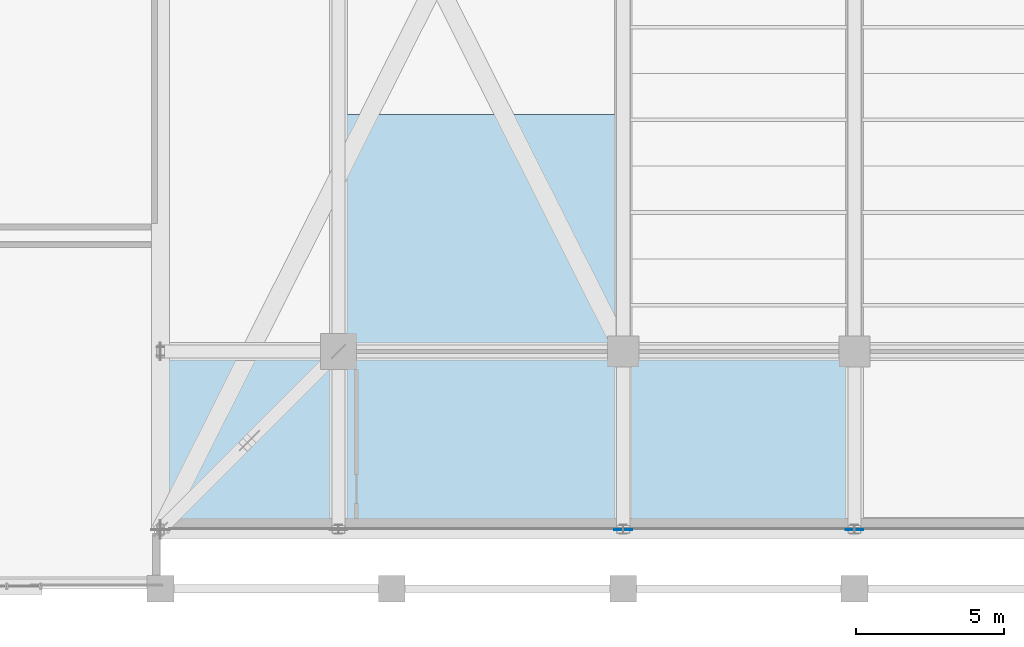
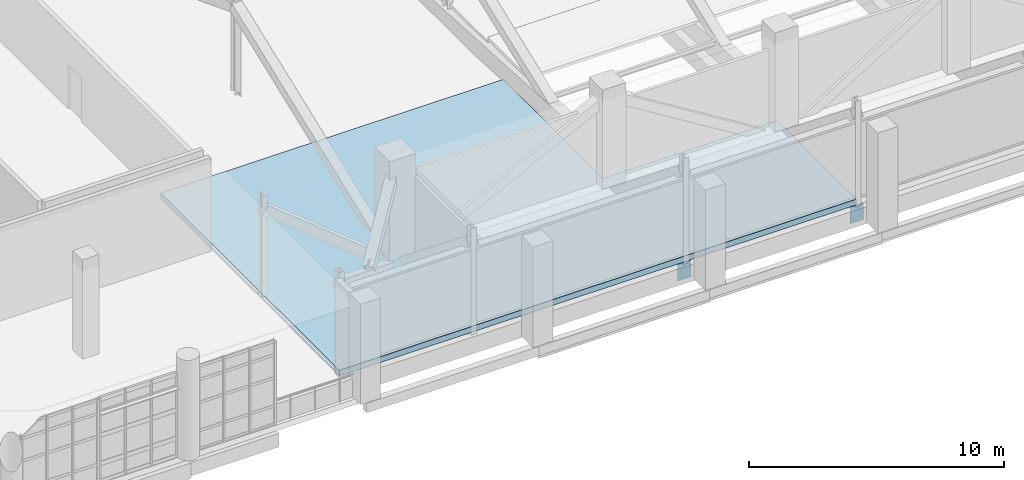
# One storey, part 90 of 127: 2 plates, 1 slab.
"""IFC4 building model written with IfcOpenShell, lengths in metres."""

from ifc_helpers import new_model, si_unit, derived_unit, direction, frame, origin, origin_2d, place, context, subcontext, project, spatial, polyline, rectangle, outline, extrude, material, layer, layer_set, type_object, element, save


model = new_model("IFC4")

# Units and contexts
model_context = context("Model", 3, precision=1e-05, world=origin(), true_north=direction((0.0, 1.0)))
body_context = subcontext(model_context, "Body", "Model", "MODEL_VIEW")
ifc_project = project(units=[si_unit("LENGTHUNIT", "METRE"), si_unit("AREAUNIT", "SQUARE_METRE"), si_unit("VOLUMEUNIT", "CUBIC_METRE"), si_unit("PLANEANGLEUNIT", "RADIAN"), si_unit("MASSUNIT", "GRAM", prefix="KILO"), derived_unit("THERMALTRANSMITTANCEUNIT", [(si_unit("POWERUNIT", "WATT"), 1), (si_unit("LENGTHUNIT", "METRE"), -2), (si_unit("THERMODYNAMICTEMPERATUREUNIT", "KELVIN"), -1)])], contexts=[model_context])

# Site, building, storey
site_placement = place(None, origin())
site = spatial("IfcSite", under=ifc_project, at=site_placement, CompositionType="ELEMENT")
building_placement = place(site_placement, origin())
building = spatial("IfcBuilding", under=site, at=building_placement, Name="Nallur Shell Playhouse", CompositionType="ELEMENT")
storey_placement = place(building_placement, frame((0.0, 0.0, 5.39990234375)))
storey = spatial("IfcBuildingStorey", under=building, at=storey_placement, Name="L02", CompositionType="ELEMENT", Elevation=5.39990234375)

# Plates
ifc_material_1 = material(Name="Steel E350", Category="steel")
ifc_layer_1 = layer(ifc_material_1, 0.02001953125)
ifc_layer_set_1 = layer_set([ifc_layer_1], Name="Steel E350")
plate_type = type_object("IfcPlateType", Name="PT-ENDCAP-20", PredefinedType="SHEET", material=ifc_layer_set_1)
for number, where, z_axis, x_axis, name in (
    (1, (79.60009765625, 9.989990234375, -1.080078125), (0.0, 0.0, 1.0), (1.0, 0.0, 0.0), "Hollow end cap EC-TT-4-BC0"),
    (2, (87.39990234375, 9.989990234375, -1.080078125), (0.0, 0.0, 1.0), (1.0, 0.0, 0.0), "Hollow end cap EC-TT-5-BC0"),
):
    element("IfcPlate", number, at=place(storey_placement, frame(where, z_axis=z_axis, x_axis=x_axis)), inside=storey, type_object=plate_type, Name=name, PredefinedType="SHEET", context=body_context, shape_type="SweptSolid", body=[
        extrude(rectangle(XDim=0.60009765625, YDim=0.02001953125, at=origin_2d()), origin(), (0.0, 0.0, 1.0), 0.800048828125),
    ])

# Slab
ifc_material_2 = material(Name="Concrete M40", Category="concrete")
ifc_layer_2 = layer(ifc_material_2, 0.280029296875)
ifc_layer_set_2 = layer_set([ifc_layer_2], Name="Concrete M40")
slab_type = type_object("IfcSlabType", Name="SL-TRANS-280", PredefinedType="FLOOR", material=ifc_layer_set_2)
slab_placement = place(storey_placement, frame((0.0, 0.0, -0.27978515625)))
element("IfcSlab", 3, at=slab_placement, inside=storey, type_object=slab_type, Name="L02 structural floor slab panel 11", PredefinedType="FLOOR", context=body_context, shape_type="SweptSolid", body=[
    extrude(outline(polyline([(64.0, 10.0), (64.0, 24.0), (79.5, 24.0), (79.5, 16.199951171875), (87.39990234375, 16.199951171875), (87.39990234375, 10.0), (64.0, 10.0)])), origin(), (0.0, 0.0, 1.0), 0.27978515625),
])

save(model, "model.ifc")
